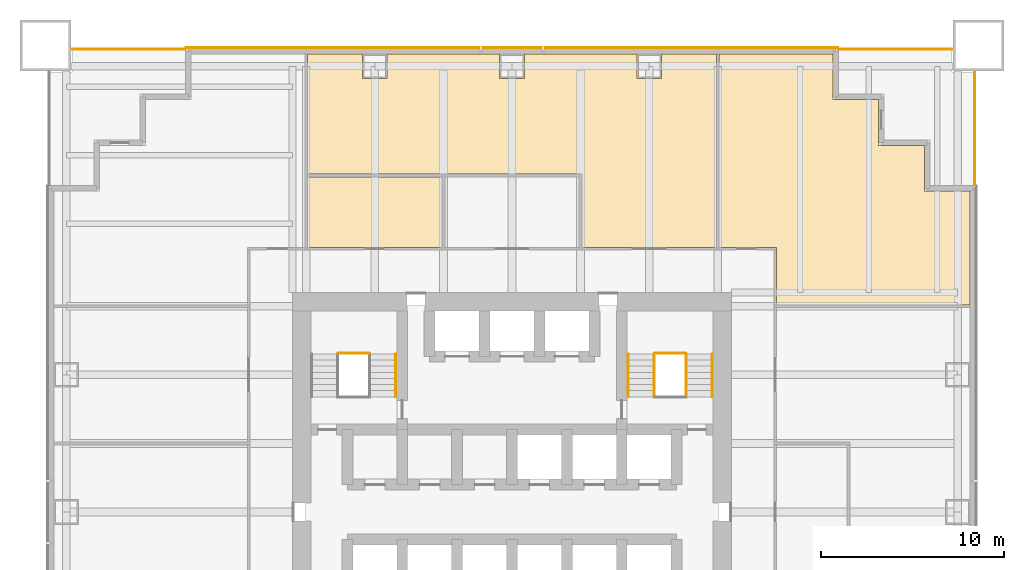
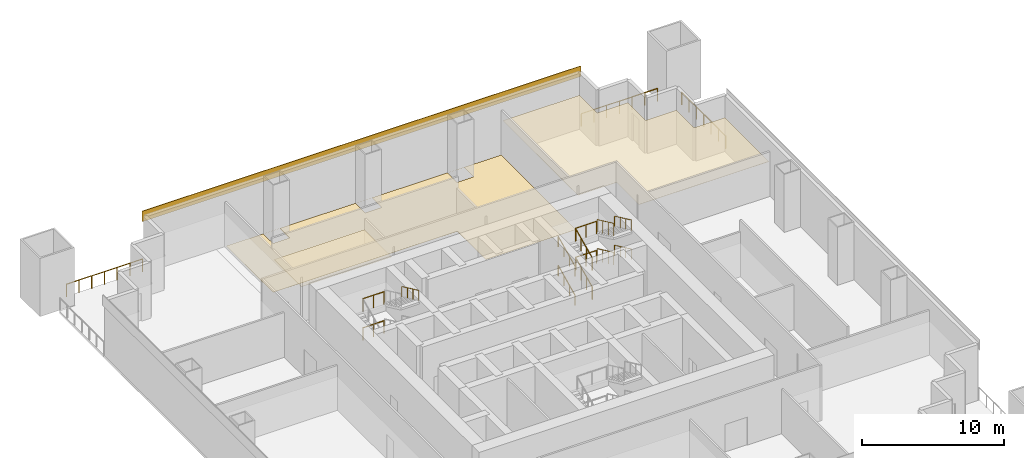
# One storey, part 7 of 7: 16 railings, 4 coverings.
"""IFC4 building model written with IfcOpenShell, lengths in metres."""

from ifc_helpers import new_model, si_unit, direction, frame, origin, origin_2d, place, context, subcontext, project, spatial, polyline, rectangle, circle, outline, extrude, material, layer, layer_set, type_object, element, save


model = new_model("IFC4")

# Units and contexts
model_context = context("Model", 3, precision=1e-05, world=origin(), true_north=direction((0.0, 1.0)))
body_context = subcontext(model_context, "Body", "Model", "MODEL_VIEW")
ifc_project = project(units=[si_unit("LENGTHUNIT", "METRE"), si_unit("AREAUNIT", "SQUARE_METRE"), si_unit("VOLUMEUNIT", "CUBIC_METRE"), si_unit("PLANEANGLEUNIT", "RADIAN"), si_unit("MASSUNIT", "GRAM", prefix="KILO")], contexts=[model_context])

# Site, building, storey
site_placement = place(None, origin())
site = spatial("IfcSite", under=ifc_project, at=site_placement, CompositionType="ELEMENT")
building_placement = place(site_placement, origin())
building = spatial("IfcBuilding", under=site, at=building_placement, Name="Tarangal Relay Tower", CompositionType="ELEMENT")
storey_placement = place(building_placement, frame((0.0, 0.0, 43.39990234375)))
storey = spatial("IfcBuildingStorey", under=building, at=storey_placement, Name="L08", CompositionType="ELEMENT", Elevation=43.39990234375)

# Coverings
ifc_material_1 = material(Name="Anti-static vinyl flooring", Category="plastic")
ifc_layer_1 = layer(ifc_material_1, 0.010009765625)
ifc_layer_set_1 = layer_set([ifc_layer_1], Name="Anti-static vinyl floor")
covering_type_1 = type_object("IfcCoveringType", Name="Anti-static vinyl floor", PredefinedType="FLOORING", material=ifc_layer_set_1)
covering_1_placement = place(storey_placement, origin())
element("IfcCovering", 1, at=covering_1_placement, inside=storey, type_object=covering_type_1, Name="Floor finish FL1 L08-03", PredefinedType="FLOORING", context=body_context, shape_type="SweptSolid", body=[
    extrude(outline(polyline([(11.175048828125, 25.050048828125), (-11.175048828125, 25.050048828125), (-11.175048828125, 18.47509765625), (3.824951171875, 18.47509765625), (3.824951171875, 14.47509765625), (11.175048828125, 14.47509765625), (11.175048828125, 25.050048828125)]), holes=[polyline([(-6.824951171875, 23.68994140625), (-6.824951171875, 25.0400390625), (-8.175048828125, 25.0400390625), (-8.175048828125, 23.68994140625), (-6.824951171875, 23.68994140625)]), polyline([(-0.675048828125, 23.68994140625), (0.675048828125, 23.68994140625), (0.675048828125, 25.0400390625), (-0.675048828125, 25.0400390625), (-0.675048828125, 23.68994140625)]), polyline([(6.824951171875, 23.68994140625), (8.175048828125, 23.68994140625), (8.175048828125, 25.0400390625), (6.824951171875, 25.0400390625), (6.824951171875, 23.68994140625)])]), origin(), (0.0, 0.0, 1.0), 0.010009765625),
])
ifc_material_2 = material(Name="Black anodised aluminium cladding", Category="aluminium")
ifc_layer_2 = layer(ifc_material_2, 0.050048828125)
ifc_layer_set_2 = layer_set([ifc_layer_2], Name="Black metal spandrel band")
covering_type_2 = type_object("IfcCoveringType", Name="Black metal spandrel band", PredefinedType="CLADDING", material=ifc_layer_set_2)
covering_2_placement = place(storey_placement, frame((0.0, 25.375, 4.250244140625), z_axis=(0.0, 0.0, 1.0), x_axis=(1.0, 0.0, 0.0)))
element("IfcCovering", 2, at=covering_2_placement, inside=storey, type_object=covering_type_2, Name="Spandrel band SB1 N L08", PredefinedType="CLADDING", context=body_context, shape_type="SweptSolid", body=[
    extrude(rectangle(XDim=35.699951171875, YDim=0.050048828125, at=origin_2d()), origin(), (0.0, 0.0, 1.0), 0.89990234375),
])

# Railings
ifc_material_3 = material(Name="Steel guard, black finish", Category="steel")
railing_type_1 = type_object("IfcRailingType", Name="Stair guard 1100", PredefinedType="GUARDRAIL", material=ifc_material_3)
for number, where, name in (
    (3, (-9.5, 8.675048828125, 1.25), "Stair ST-A landing guard GR1 L08"),
    (4, (-9.5, 8.675048828125, 3.75), "Stair ST-A landing guard GR1 L08"),
):
    element("IfcRailing", number, at=place(storey_placement, frame(where)), inside=storey, type_object=railing_type_1, Name=name, PredefinedType="GUARDRAIL", context=body_context, shape_type="SweptSolid", body=[
        extrude(circle(Radius=0.02392578125, at=origin_2d()), frame((0.0, 0.0, 1.076171875), z_axis=(1.0, 0.0, 0.0), x_axis=(0.0, 1.0, 0.0)), (0.0, 0.0, 1.0), 1.699951171875),
        extrude(circle(Radius=0.02099609375, at=origin_2d()), origin(), (0.0, 0.0, 1.0), 1.052001953125),
        extrude(circle(Radius=0.02099609375, at=origin_2d()), frame((0.85009765625, 0.0, 0.0)), (0.0, 0.0, 1.0), 1.052001953125),
        extrude(circle(Radius=0.02099609375, at=origin_2d()), frame((1.699951171875, 0.0, 0.0)), (0.0, 0.0, 1.0), 1.052001953125),
    ])
railing_1_placement = place(storey_placement, frame((7.77001953125, 6.300048828125, 0.15625)))
element("IfcRailing", 5, at=railing_1_placement, inside=storey, type_object=railing_type_1, Name="Stair ST-B guard GR1 L08 flight 1", PredefinedType="GUARDRAIL", context=body_context, shape_type="SweptSolid", body=[
    extrude(circle(Radius=0.02392578125, at=origin_2d()), frame((0.0, 0.0, 1.076171875), z_axis=(0.0, 0.90626748934, 0.422704669676), x_axis=(-1.0, 0.0, 0.0)), (0.0, 0.0, 1.0), 2.58740234375),
    extrude(circle(Radius=0.02099609375, at=origin_2d()), origin(), (0.0, 0.0, 1.0), 1.052001953125),
    extrude(circle(Radius=0.02099609375, at=origin_2d()), frame((0.0, 0.78173828125, 0.364501953125)), (0.0, 0.0, 1.0), 1.052001953125),
    extrude(circle(Radius=0.02099609375, at=origin_2d()), frame((0.0, 1.563232421875, 0.729248046875)), (0.0, 0.0, 1.0), 1.052001953125),
    extrude(circle(Radius=0.02099609375, at=origin_2d()), frame((0.0, 2.344970703125, 1.09375)), (0.0, 0.0, 1.0), 1.052001953125),
])
railing_2_placement = place(storey_placement, frame((9.530029296875, 8.64501953125, 1.40625)))
element("IfcRailing", 6, at=railing_2_placement, inside=storey, type_object=railing_type_1, Name="Stair ST-B guard GR1 L08 flight 2", PredefinedType="GUARDRAIL", context=body_context, shape_type="SweptSolid", body=[
    extrude(circle(Radius=0.02392578125, at=origin_2d()), frame((0.0, 0.0, 1.076171875), z_axis=(0.0, -0.90626748934, 0.422704669676), x_axis=(1.0, 0.0, 0.0)), (0.0, 0.0, 1.0), 2.58740234375),
    extrude(circle(Radius=0.02099609375, at=origin_2d()), origin(), (0.0, 0.0, 1.0), 1.052001953125),
    extrude(circle(Radius=0.02099609375, at=origin_2d()), frame((0.0, -0.78173828125, 0.364501953125)), (0.0, 0.0, 1.0), 1.052001953125),
    extrude(circle(Radius=0.02099609375, at=origin_2d()), frame((0.0, -1.563232421875, 0.729248046875)), (0.0, 0.0, 1.0), 1.052001953125),
    extrude(circle(Radius=0.02099609375, at=origin_2d()), frame((0.0, -2.344970703125, 1.09375)), (0.0, 0.0, 1.0), 1.052001953125),
])
railing_3_placement = place(storey_placement, frame((7.77001953125, 6.300048828125, 2.65625)))
element("IfcRailing", 7, at=railing_3_placement, inside=storey, type_object=railing_type_1, Name="Stair ST-B guard GR1 L08 flight 3", PredefinedType="GUARDRAIL", context=body_context, shape_type="SweptSolid", body=[
    extrude(circle(Radius=0.02392578125, at=origin_2d()), frame((0.0, 0.0, 1.076171875), z_axis=(0.0, 0.90626748934, 0.422704669676), x_axis=(-1.0, 0.0, 0.0)), (0.0, 0.0, 1.0), 2.58740234375),
    extrude(circle(Radius=0.02099609375, at=origin_2d()), origin(), (0.0, 0.0, 1.0), 1.052001953125),
    extrude(circle(Radius=0.02099609375, at=origin_2d()), frame((0.0, 0.78173828125, 0.364501953125)), (0.0, 0.0, 1.0), 1.052001953125),
    extrude(circle(Radius=0.02099609375, at=origin_2d()), frame((0.0, 1.563232421875, 0.729248046875)), (0.0, 0.0, 1.0), 1.052001953125),
    extrude(circle(Radius=0.02099609375, at=origin_2d()), frame((0.0, 2.344970703125, 1.09375)), (0.0, 0.0, 1.0), 1.052001953125),
])
railing_4_placement = place(storey_placement, frame((9.530029296875, 8.64501953125, 3.90625)))
element("IfcRailing", 8, at=railing_4_placement, inside=storey, type_object=railing_type_1, Name="Stair ST-B guard GR1 L08 flight 4", PredefinedType="GUARDRAIL", context=body_context, shape_type="SweptSolid", body=[
    extrude(circle(Radius=0.02392578125, at=origin_2d()), frame((0.0, 0.0, 1.076171875), z_axis=(0.0, -0.90626748934, 0.422704669676), x_axis=(1.0, 0.0, 0.0)), (0.0, 0.0, 1.0), 2.58740234375),
    extrude(circle(Radius=0.02099609375, at=origin_2d()), origin(), (0.0, 0.0, 1.0), 1.052001953125),
    extrude(circle(Radius=0.02099609375, at=origin_2d()), frame((0.0, -0.78173828125, 0.364501953125)), (0.0, 0.0, 1.0), 1.052001953125),
    extrude(circle(Radius=0.02099609375, at=origin_2d()), frame((0.0, -1.563232421875, 0.729248046875)), (0.0, 0.0, 1.0), 1.052001953125),
    extrude(circle(Radius=0.02099609375, at=origin_2d()), frame((0.0, -2.344970703125, 1.09375)), (0.0, 0.0, 1.0), 1.052001953125),
])
for number, where, name in (
    (9, (7.800048828125, 8.675048828125, 1.25), "Stair ST-B landing guard GR1 L08"),
    (10, (7.800048828125, 8.675048828125, 3.75), "Stair ST-B landing guard GR1 L08"),
):
    element("IfcRailing", number, at=place(storey_placement, frame(where)), inside=storey, type_object=railing_type_1, Name=name, PredefinedType="GUARDRAIL", context=body_context, shape_type="SweptSolid", body=[
        extrude(circle(Radius=0.02392578125, at=origin_2d()), frame((0.0, 0.0, 1.076171875), z_axis=(1.0, 0.0, 0.0), x_axis=(0.0, 1.0, 0.0)), (0.0, 0.0, 1.0), 1.699951171875),
        extrude(circle(Radius=0.02099609375, at=origin_2d()), origin(), (0.0, 0.0, 1.0), 1.052001953125),
        extrude(circle(Radius=0.02099609375, at=origin_2d()), frame((0.85009765625, 0.0, 0.0)), (0.0, 0.0, 1.0), 1.052001953125),
        extrude(circle(Radius=0.02099609375, at=origin_2d()), frame((1.699951171875, 0.0, 0.0)), (0.0, 0.0, 1.0), 1.052001953125),
    ])
ifc_material_4 = material(Name="Steel handrail, black finish", Category="steel")
railing_type_2 = type_object("IfcRailingType", Name="Stair handrail 900", PredefinedType="HANDRAIL", material=ifc_material_4)
railing_5_placement = place(storey_placement, frame((-6.360107421875, 8.64501953125, 3.90625)))
element("IfcRailing", 11, at=railing_5_placement, inside=storey, type_object=railing_type_2, Name="Stair ST-A handrail HR1 L08 flight 4", PredefinedType="HANDRAIL", context=body_context, shape_type="SweptSolid", body=[
    extrude(circle(Radius=0.02392578125, at=origin_2d()), frame((0.0, 0.0, 0.8759765625), z_axis=(0.0, -0.90626748934, 0.422704669676), x_axis=(1.0, 0.0, 0.0)), (0.0, 0.0, 1.0), 2.58740234375),
    extrude(circle(Radius=0.02099609375, at=origin_2d()), origin(), (0.0, 0.0, 1.0), 0.851806640625),
    extrude(circle(Radius=0.02099609375, at=origin_2d()), frame((0.0, -0.78173828125, 0.364501953125)), (0.0, 0.0, 1.0), 0.851806640625),
    extrude(circle(Radius=0.02099609375, at=origin_2d()), frame((0.0, -1.563232421875, 0.729248046875)), (0.0, 0.0, 1.0), 0.851806640625),
    extrude(circle(Radius=0.02099609375, at=origin_2d()), frame((0.0, -2.344970703125, 1.09375)), (0.0, 0.0, 1.0), 0.851806640625),
])
railing_6_placement = place(storey_placement, frame((6.360107421875, 6.300048828125, 0.15625)))
element("IfcRailing", 12, at=railing_6_placement, inside=storey, type_object=railing_type_2, Name="Stair ST-B handrail HR1 L08 flight 1", PredefinedType="HANDRAIL", context=body_context, shape_type="SweptSolid", body=[
    extrude(circle(Radius=0.02392578125, at=origin_2d()), frame((0.0, 0.0, 0.8759765625), z_axis=(0.0, 0.90626748934, 0.422704669676), x_axis=(-1.0, 0.0, 0.0)), (0.0, 0.0, 1.0), 2.58740234375),
    extrude(circle(Radius=0.02099609375, at=origin_2d()), origin(), (0.0, 0.0, 1.0), 0.851806640625),
    extrude(circle(Radius=0.02099609375, at=origin_2d()), frame((0.0, 0.78173828125, 0.364501953125)), (0.0, 0.0, 1.0), 0.851806640625),
    extrude(circle(Radius=0.02099609375, at=origin_2d()), frame((0.0, 1.563232421875, 0.729248046875)), (0.0, 0.0, 1.0), 0.851806640625),
    extrude(circle(Radius=0.02099609375, at=origin_2d()), frame((0.0, 2.344970703125, 1.09375)), (0.0, 0.0, 1.0), 0.851806640625),
])
railing_7_placement = place(storey_placement, frame((10.93994140625, 8.64501953125, 1.40625)))
element("IfcRailing", 13, at=railing_7_placement, inside=storey, type_object=railing_type_2, Name="Stair ST-B handrail HR1 L08 flight 2", PredefinedType="HANDRAIL", context=body_context, shape_type="SweptSolid", body=[
    extrude(circle(Radius=0.02392578125, at=origin_2d()), frame((0.0, 0.0, 0.8759765625), z_axis=(0.0, -0.90626748934, 0.422704669676), x_axis=(1.0, 0.0, 0.0)), (0.0, 0.0, 1.0), 2.58740234375),
    extrude(circle(Radius=0.02099609375, at=origin_2d()), origin(), (0.0, 0.0, 1.0), 0.851806640625),
    extrude(circle(Radius=0.02099609375, at=origin_2d()), frame((0.0, -0.78173828125, 0.364501953125)), (0.0, 0.0, 1.0), 0.851806640625),
    extrude(circle(Radius=0.02099609375, at=origin_2d()), frame((0.0, -1.563232421875, 0.729248046875)), (0.0, 0.0, 1.0), 0.851806640625),
    extrude(circle(Radius=0.02099609375, at=origin_2d()), frame((0.0, -2.344970703125, 1.09375)), (0.0, 0.0, 1.0), 0.851806640625),
])
railing_8_placement = place(storey_placement, frame((6.360107421875, 6.300048828125, 2.65625)))
element("IfcRailing", 14, at=railing_8_placement, inside=storey, type_object=railing_type_2, Name="Stair ST-B handrail HR1 L08 flight 3", PredefinedType="HANDRAIL", context=body_context, shape_type="SweptSolid", body=[
    extrude(circle(Radius=0.02392578125, at=origin_2d()), frame((0.0, 0.0, 0.8759765625), z_axis=(0.0, 0.90626748934, 0.422704669676), x_axis=(-1.0, 0.0, 0.0)), (0.0, 0.0, 1.0), 2.58740234375),
    extrude(circle(Radius=0.02099609375, at=origin_2d()), origin(), (0.0, 0.0, 1.0), 0.851806640625),
    extrude(circle(Radius=0.02099609375, at=origin_2d()), frame((0.0, 0.78173828125, 0.364501953125)), (0.0, 0.0, 1.0), 0.851806640625),
    extrude(circle(Radius=0.02099609375, at=origin_2d()), frame((0.0, 1.563232421875, 0.729248046875)), (0.0, 0.0, 1.0), 0.851806640625),
    extrude(circle(Radius=0.02099609375, at=origin_2d()), frame((0.0, 2.344970703125, 1.09375)), (0.0, 0.0, 1.0), 0.851806640625),
])
railing_9_placement = place(storey_placement, frame((10.93994140625, 8.64501953125, 3.90625)))
element("IfcRailing", 15, at=railing_9_placement, inside=storey, type_object=railing_type_2, Name="Stair ST-B handrail HR1 L08 flight 4", PredefinedType="HANDRAIL", context=body_context, shape_type="SweptSolid", body=[
    extrude(circle(Radius=0.02392578125, at=origin_2d()), frame((0.0, 0.0, 0.8759765625), z_axis=(0.0, -0.90626748934, 0.422704669676), x_axis=(1.0, 0.0, 0.0)), (0.0, 0.0, 1.0), 2.58740234375),
    extrude(circle(Radius=0.02099609375, at=origin_2d()), origin(), (0.0, 0.0, 1.0), 0.851806640625),
    extrude(circle(Radius=0.02099609375, at=origin_2d()), frame((0.0, -0.78173828125, 0.364501953125)), (0.0, 0.0, 1.0), 0.851806640625),
    extrude(circle(Radius=0.02099609375, at=origin_2d()), frame((0.0, -1.563232421875, 0.729248046875)), (0.0, 0.0, 1.0), 0.851806640625),
    extrude(circle(Radius=0.02099609375, at=origin_2d()), frame((0.0, -2.344970703125, 1.09375)), (0.0, 0.0, 1.0), 0.851806640625),
])

# Coverings
ifc_material_5 = material(Name="Mineral fibre ceiling tiles", Category="gypsum")
ifc_layer_3 = layer(ifc_material_5, 0.02001953125)
ifc_layer_set_3 = layer_set([ifc_layer_3], Name="Suspended ceiling")
covering_type_3 = type_object("IfcCoveringType", Name="Suspended ceiling", PredefinedType="CEILING", material=ifc_layer_set_3)
covering_3_placement = place(storey_placement, frame((0.0, 0.0, 2.900146484375)))
element("IfcCovering", 16, at=covering_3_placement, inside=storey, type_object=covering_type_3, Name="Suspended ceiling CL1 L08-02", PredefinedType="CEILING", context=body_context, shape_type="SweptSolid", body=[
    extrude(outline(polyline([(-11.175048828125, 18.324951171875), (-11.175048828125, 14.47509765625), (-3.824951171875, 14.47509765625), (-3.824951171875, 18.324951171875), (-11.175048828125, 18.324951171875)])), origin(), (0.0, 0.0, 1.0), 0.02001953125),
])
covering_4_placement = place(storey_placement, frame((0.0, 0.0, 2.900146484375)))
element("IfcCovering", 17, at=covering_4_placement, inside=storey, type_object=covering_type_3, Name="Suspended ceiling CL1 L08-12", PredefinedType="CEILING", context=body_context, shape_type="SweptSolid", body=[
    extrude(outline(polyline([(17.550048828125, 25.050048828125), (11.324951171875, 25.050048828125), (11.324951171875, 14.47509765625), (14.47509765625, 14.47509765625), (14.47509765625, 11.324951171875), (25.050048828125, 11.324951171875), (25.050048828125, 17.550048828125), (22.550048828125, 17.550048828125), (22.550048828125, 20.050048828125), (20.050048828125, 20.050048828125), (20.050048828125, 22.550048828125), (17.550048828125, 22.550048828125), (17.550048828125, 25.050048828125)])), origin(), (0.0, 0.0, 1.0), 0.02001953125),
])

# Railings
ifc_material_6 = material(Name="Black steel guard with glass infill", Category="steel")
railing_type_3 = type_object("IfcRailingType", Name="Terrace guard 1100", PredefinedType="GUARDRAIL", material=ifc_material_6)
railing_10_placement = place(storey_placement, frame((17.85009765625, 25.300048828125, 0.0)))
element("IfcRailing", 18, at=railing_10_placement, inside=storey, type_object=railing_type_3, Name="Terrace guard GR2 NE L08", PredefinedType="GUARDRAIL", context=body_context, shape_type="SweptSolid", body=[
    extrude(circle(Radius=0.02392578125, at=origin_2d()), frame((0.0, 0.0, 1.076171875), z_axis=(1.0, 0.0, 0.0), x_axis=(0.0, 1.0, 0.0)), (0.0, 0.0, 1.0), 6.199951171875),
    extrude(circle(Radius=0.02099609375, at=origin_2d()), origin(), (0.0, 0.0, 1.0), 1.052001953125),
    extrude(circle(Radius=0.02099609375, at=origin_2d()), frame((1.033203125, 0.0, 0.0)), (0.0, 0.0, 1.0), 1.052001953125),
    extrude(circle(Radius=0.02099609375, at=origin_2d()), frame((2.066650390625, 0.0, 0.0)), (0.0, 0.0, 1.0), 1.052001953125),
    extrude(circle(Radius=0.02099609375, at=origin_2d()), frame((3.10009765625, 0.0, 0.0)), (0.0, 0.0, 1.0), 1.052001953125),
    extrude(circle(Radius=0.02099609375, at=origin_2d()), frame((4.13330078125, 0.0, 0.0)), (0.0, 0.0, 1.0), 1.052001953125),
    extrude(circle(Radius=0.02099609375, at=origin_2d()), frame((5.16650390625, 0.0, 0.0)), (0.0, 0.0, 1.0), 1.052001953125),
    extrude(circle(Radius=0.02099609375, at=origin_2d()), frame((6.199951171875, 0.0, 0.0)), (0.0, 0.0, 1.0), 1.052001953125),
])
railing_11_placement = place(storey_placement, frame((25.300048828125, 24.050048828125, 0.0)))
element("IfcRailing", 19, at=railing_11_placement, inside=storey, type_object=railing_type_3, Name="Terrace guard GR2 NE L08", PredefinedType="GUARDRAIL", context=body_context, shape_type="SweptSolid", body=[
    extrude(circle(Radius=0.02392578125, at=origin_2d()), frame((0.0, 0.0, 1.076171875), z_axis=(0.0, -1.0, 0.0), x_axis=(1.0, 0.0, 0.0)), (0.0, 0.0, 1.0), 6.199951171875),
    extrude(circle(Radius=0.02099609375, at=origin_2d()), origin(), (0.0, 0.0, 1.0), 1.052001953125),
    extrude(circle(Radius=0.02099609375, at=origin_2d()), frame((0.0, -1.033203125, 0.0)), (0.0, 0.0, 1.0), 1.052001953125),
    extrude(circle(Radius=0.02099609375, at=origin_2d()), frame((0.0, -2.066650390625, 0.0)), (0.0, 0.0, 1.0), 1.052001953125),
    extrude(circle(Radius=0.02099609375, at=origin_2d()), frame((0.0, -3.10009765625, 0.0)), (0.0, 0.0, 1.0), 1.052001953125),
    extrude(circle(Radius=0.02099609375, at=origin_2d()), frame((0.0, -4.13330078125, 0.0)), (0.0, 0.0, 1.0), 1.052001953125),
    extrude(circle(Radius=0.02099609375, at=origin_2d()), frame((0.0, -5.16650390625, 0.0)), (0.0, 0.0, 1.0), 1.052001953125),
    extrude(circle(Radius=0.02099609375, at=origin_2d()), frame((0.0, -6.199951171875, 0.0)), (0.0, 0.0, 1.0), 1.052001953125),
])
railing_12_placement = place(storey_placement, frame((-24.050048828125, 25.300048828125, 0.0)))
element("IfcRailing", 20, at=railing_12_placement, inside=storey, type_object=railing_type_3, Name="Terrace guard GR2 NW L08", PredefinedType="GUARDRAIL", context=body_context, shape_type="SweptSolid", body=[
    extrude(circle(Radius=0.02392578125, at=origin_2d()), frame((0.0, 0.0, 1.076171875), z_axis=(1.0, 0.0, 0.0), x_axis=(0.0, 1.0, 0.0)), (0.0, 0.0, 1.0), 6.199951171875),
    extrude(circle(Radius=0.02099609375, at=origin_2d()), origin(), (0.0, 0.0, 1.0), 1.052001953125),
    extrude(circle(Radius=0.02099609375, at=origin_2d()), frame((1.033203125, 0.0, 0.0)), (0.0, 0.0, 1.0), 1.052001953125),
    extrude(circle(Radius=0.02099609375, at=origin_2d()), frame((2.066650390625, 0.0, 0.0)), (0.0, 0.0, 1.0), 1.052001953125),
    extrude(circle(Radius=0.02099609375, at=origin_2d()), frame((3.10009765625, 0.0, 0.0)), (0.0, 0.0, 1.0), 1.052001953125),
    extrude(circle(Radius=0.02099609375, at=origin_2d()), frame((4.13330078125, 0.0, 0.0)), (0.0, 0.0, 1.0), 1.052001953125),
    extrude(circle(Radius=0.02099609375, at=origin_2d()), frame((5.16650390625, 0.0, 0.0)), (0.0, 0.0, 1.0), 1.052001953125),
    extrude(circle(Radius=0.02099609375, at=origin_2d()), frame((6.199951171875, 0.0, 0.0)), (0.0, 0.0, 1.0), 1.052001953125),
])

save(model, "model.ifc")
